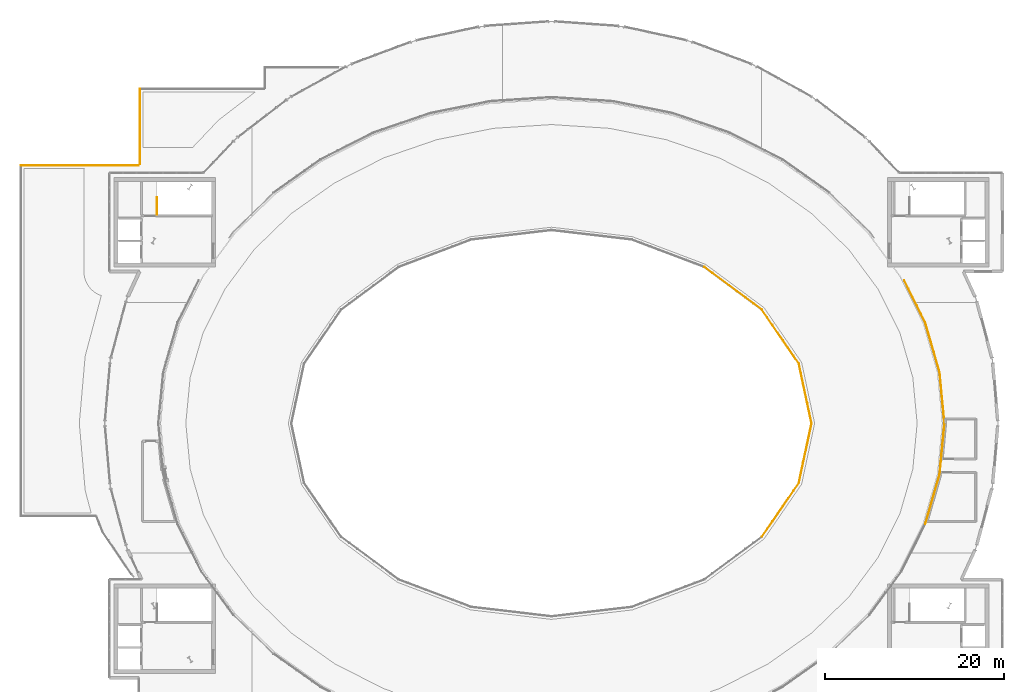
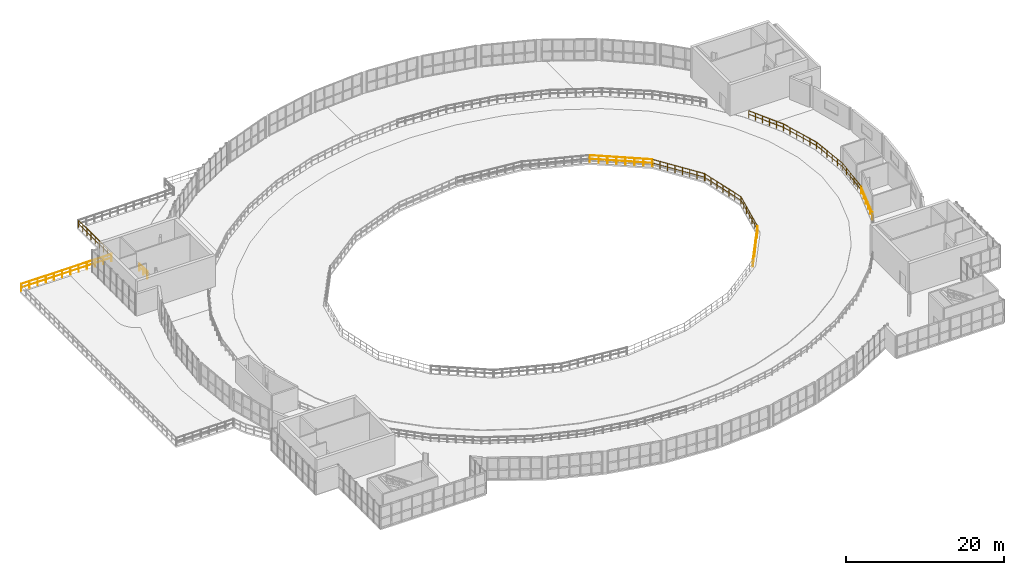
# One storey, part 38 of 40: 13 railings.
"""IFC4 building model written with IfcOpenShell, lengths in metres."""

from ifc_helpers import new_model, si_unit, direction, frame, origin, origin_2d, place, context, subcontext, project, spatial, circle, extrude, material, type_object, element, save


model = new_model("IFC4")

# Units and contexts
model_context = context("Model", 3, precision=1e-05, world=origin(), true_north=direction((0.0, 1.0)))
body_context = subcontext(model_context, "Body", "Model", "MODEL_VIEW")
ifc_project = project(units=[si_unit("LENGTHUNIT", "METRE"), si_unit("AREAUNIT", "SQUARE_METRE"), si_unit("VOLUMEUNIT", "CUBIC_METRE"), si_unit("PLANEANGLEUNIT", "RADIAN"), si_unit("MASSUNIT", "GRAM", prefix="KILO")], contexts=[model_context])

# Site, building, storey
site_placement = place(None, origin())
site = spatial("IfcSite", under=ifc_project, at=site_placement, CompositionType="ELEMENT")
building_placement = place(site_placement, origin())
building = spatial("IfcBuilding", under=site, at=building_placement, Name="Glasvene Arena", CompositionType="ELEMENT")
storey_placement = place(building_placement, frame((0.0, 0.0, 24.0)))
storey = spatial("IfcBuildingStorey", under=building, at=storey_placement, Name="L05", CompositionType="ELEMENT", Elevation=24.0)

# Railings
ifc_material_1 = material(Name="Brushed stainless steel", Category="steel")
railing_type_1 = type_object("IfcRailingType", Name="RL-GUARD-1100", PredefinedType="GUARDRAIL", material=ifc_material_1)
railing_1_placement = place(storey_placement, frame((47.85009765625, 96.35009765625, 0.0)))
element("IfcRailing", 1, at=railing_1_placement, inside=storey, type_object=railing_type_1, Name="Stair top landing well guard ST-01", PredefinedType="GUARDRAIL", context=body_context, shape_type="SweptSolid", body=[
    extrude(circle(Radius=0.02392578125, at=origin_2d()), frame((0.0, 0.0, 1.076171875), z_axis=(0.0, 1.0, 0.0), x_axis=(-1.0, 0.0, 0.0)), (0.0, 0.0, 1.0), 1.949951171875),
    extrude(circle(Radius=0.01611328125, at=origin_2d()), frame((0.0, 0.0, 0.550048828125), z_axis=(0.0, 1.0, 0.0), x_axis=(-1.0, 0.0, 0.0)), (0.0, 0.0, 1.0), 1.949951171875),
    extrude(circle(Radius=0.02099609375, at=origin_2d()), origin(), (0.0, 0.0, 1.0), 1.052001953125),
    extrude(circle(Radius=0.02099609375, at=origin_2d()), frame((0.0, 0.97509765625, 0.0)), (0.0, 0.0, 1.0), 1.052001953125),
    extrude(circle(Radius=0.02099609375, at=origin_2d()), frame((0.0, 1.949951171875, 0.0)), (0.0, 0.0, 1.0), 1.052001953125),
])
railing_2_placement = place(storey_placement, frame((136.0, 73.0, 0.0)))
element("IfcRailing", 2, at=railing_2_placement, inside=storey, type_object=railing_type_1, Name="Safety guardrail GD-GND-L05-1-001", PredefinedType="GUARDRAIL", context=body_context, shape_type="SweptSolid", body=[
    extrude(circle(Radius=0.02392578125, at=origin_2d()), frame((0.0, 0.0, 1.076171875), z_axis=(-0.094453542463, 0.995529270447, 0.0), x_axis=(-0.995529270447, -0.094453542463, 0.0)), (0.0, 0.0, 1.0), 5.735595703125),
    extrude(circle(Radius=0.01611328125, at=origin_2d()), frame((0.0, 0.0, 0.550048828125), z_axis=(-0.094453542463, 0.995529270447, 0.0), x_axis=(-0.995529270447, -0.094453542463, 0.0)), (0.0, 0.0, 1.0), 5.735595703125),
    extrude(circle(Radius=0.02099609375, at=origin_2d()), origin(), (0.0, 0.0, 1.0), 1.052001953125),
    extrude(circle(Radius=0.02099609375, at=origin_2d()), frame((-0.1083984375, 1.14208984375, 0.0)), (0.0, 0.0, 1.0), 1.052001953125),
    extrude(circle(Radius=0.02099609375, at=origin_2d()), frame((-0.216796875, 2.283935546875, 0.0)), (0.0, 0.0, 1.0), 1.052001953125),
    extrude(circle(Radius=0.02099609375, at=origin_2d()), frame((-0.324951171875, 3.426025390625, 0.0)), (0.0, 0.0, 1.0), 1.052001953125),
    extrude(circle(Radius=0.02099609375, at=origin_2d()), frame((-0.433349609375, 4.56787109375, 0.0)), (0.0, 0.0, 1.0), 1.052001953125),
    extrude(circle(Radius=0.02099609375, at=origin_2d()), frame((-0.541748046875, 5.7099609375, 0.0)), (0.0, 0.0, 1.0), 1.052001953125),
])
railing_3_placement = place(storey_placement, frame((135.458251953125, 78.7099609375, 0.0)))
element("IfcRailing", 3, at=railing_3_placement, inside=storey, type_object=railing_type_1, Name="Safety guardrail GD-GND-L05-1-002", PredefinedType="GUARDRAIL", context=body_context, shape_type="SweptSolid", body=[
    extrude(circle(Radius=0.02392578125, at=origin_2d()), frame((0.0, 0.0, 1.076171875), z_axis=(-0.278012064351, 0.960577582538, 0.0), x_axis=(-0.960577582538, -0.278012064351, 0.0)), (0.0, 0.0, 1.0), 5.797607421875),
    extrude(circle(Radius=0.01611328125, at=origin_2d()), frame((0.0, 0.0, 0.550048828125), z_axis=(-0.278012064351, 0.960577582538, 0.0), x_axis=(-0.960577582538, -0.278012064351, 0.0)), (0.0, 0.0, 1.0), 5.797607421875),
    extrude(circle(Radius=0.02099609375, at=origin_2d()), origin(), (0.0, 0.0, 1.0), 1.052001953125),
    extrude(circle(Radius=0.02099609375, at=origin_2d()), frame((-0.322265625, 1.11376953125, 0.0)), (0.0, 0.0, 1.0), 1.052001953125),
    extrude(circle(Radius=0.02099609375, at=origin_2d()), frame((-0.644775390625, 2.2275390625, 0.0)), (0.0, 0.0, 1.0), 1.052001953125),
    extrude(circle(Radius=0.02099609375, at=origin_2d()), frame((-0.967041015625, 3.341552734375, 0.0)), (0.0, 0.0, 1.0), 1.052001953125),
    extrude(circle(Radius=0.02099609375, at=origin_2d()), frame((-1.28955078125, 4.455322265625, 0.0)), (0.0, 0.0, 1.0), 1.052001953125),
    extrude(circle(Radius=0.02099609375, at=origin_2d()), frame((-1.61181640625, 5.569091796875, 0.0)), (0.0, 0.0, 1.0), 1.052001953125),
])
railing_4_placement = place(storey_placement, frame((133.846435546875, 84.279052734375, 0.0)))
element("IfcRailing", 4, at=railing_4_placement, inside=storey, type_object=railing_type_1, Name="Safety guardrail GD-GND-L05-1-003", PredefinedType="GUARDRAIL", context=body_context, shape_type="SweptSolid", body=[
    extrude(circle(Radius=0.02392578125, at=origin_2d()), frame((0.0, 0.0, 1.076171875), z_axis=(-0.446713835453, 0.894676896547, 0.0), x_axis=(-0.894676896547, -0.446713835453, 0.0)), (0.0, 0.0, 1.0), 5.276611328125),
    extrude(circle(Radius=0.01611328125, at=origin_2d()), frame((0.0, 0.0, 0.550048828125), z_axis=(-0.446713835453, 0.894676896547, 0.0), x_axis=(-0.894676896547, -0.446713835453, 0.0)), (0.0, 0.0, 1.0), 5.276611328125),
    extrude(circle(Radius=0.02099609375, at=origin_2d()), origin(), (0.0, 0.0, 1.0), 1.052001953125),
    extrude(circle(Radius=0.02099609375, at=origin_2d()), frame((-0.471435546875, 0.944091796875, 0.0)), (0.0, 0.0, 1.0), 1.052001953125),
    extrude(circle(Radius=0.02099609375, at=origin_2d()), frame((-0.94287109375, 1.888427734375, 0.0)), (0.0, 0.0, 1.0), 1.052001953125),
    extrude(circle(Radius=0.02099609375, at=origin_2d()), frame((-1.414306640625, 2.83251953125, 0.0)), (0.0, 0.0, 1.0), 1.052001953125),
    extrude(circle(Radius=0.02099609375, at=origin_2d()), frame((-1.8857421875, 3.77685546875, 0.0)), (0.0, 0.0, 1.0), 1.052001953125),
    extrude(circle(Radius=0.02099609375, at=origin_2d()), frame((-2.357177734375, 4.720947265625, 0.0)), (0.0, 0.0, 1.0), 1.052001953125),
])
railing_5_placement = place(storey_placement, frame((133.846435546875, 61.720947265625, 0.0)))
element("IfcRailing", 5, at=railing_5_placement, inside=storey, type_object=railing_type_1, Name="Safety guardrail GD-GND-L05-3-022", PredefinedType="GUARDRAIL", context=body_context, shape_type="SweptSolid", body=[
    extrude(circle(Radius=0.02392578125, at=origin_2d()), frame((0.0, 0.0, 1.076171875), z_axis=(0.278012064351, 0.960577582538, 0.0), x_axis=(-0.960577582538, 0.278012064351, 0.0)), (0.0, 0.0, 1.0), 5.797607421875),
    extrude(circle(Radius=0.01611328125, at=origin_2d()), frame((0.0, 0.0, 0.550048828125), z_axis=(0.278012064351, 0.960577582538, 0.0), x_axis=(-0.960577582538, 0.278012064351, 0.0)), (0.0, 0.0, 1.0), 5.797607421875),
    extrude(circle(Radius=0.02099609375, at=origin_2d()), origin(), (0.0, 0.0, 1.0), 1.052001953125),
    extrude(circle(Radius=0.02099609375, at=origin_2d()), frame((0.322265625, 1.11376953125, 0.0)), (0.0, 0.0, 1.0), 1.052001953125),
    extrude(circle(Radius=0.02099609375, at=origin_2d()), frame((0.644775390625, 2.2275390625, 0.0)), (0.0, 0.0, 1.0), 1.052001953125),
    extrude(circle(Radius=0.02099609375, at=origin_2d()), frame((0.967041015625, 3.341552734375, 0.0)), (0.0, 0.0, 1.0), 1.052001953125),
    extrude(circle(Radius=0.02099609375, at=origin_2d()), frame((1.28955078125, 4.455322265625, 0.0)), (0.0, 0.0, 1.0), 1.052001953125),
    extrude(circle(Radius=0.02099609375, at=origin_2d()), frame((1.61181640625, 5.569091796875, 0.0)), (0.0, 0.0, 1.0), 1.052001953125),
])
railing_6_placement = place(storey_placement, frame((135.458251953125, 67.2900390625, 0.0)))
element("IfcRailing", 6, at=railing_6_placement, inside=storey, type_object=railing_type_1, Name="Safety guardrail GD-GND-L05-3-023", PredefinedType="GUARDRAIL", context=body_context, shape_type="SweptSolid", body=[
    extrude(circle(Radius=0.02392578125, at=origin_2d()), frame((0.0, 0.0, 1.076171875), z_axis=(0.094453542463, 0.995529270447, 0.0), x_axis=(-0.995529270447, 0.094453542463, 0.0)), (0.0, 0.0, 1.0), 5.735595703125),
    extrude(circle(Radius=0.01611328125, at=origin_2d()), frame((0.0, 0.0, 0.550048828125), z_axis=(0.094453542463, 0.995529270447, 0.0), x_axis=(-0.995529270447, 0.094453542463, 0.0)), (0.0, 0.0, 1.0), 5.735595703125),
    extrude(circle(Radius=0.02099609375, at=origin_2d()), origin(), (0.0, 0.0, 1.0), 1.052001953125),
    extrude(circle(Radius=0.02099609375, at=origin_2d()), frame((0.1083984375, 1.14208984375, 0.0)), (0.0, 0.0, 1.0), 1.052001953125),
    extrude(circle(Radius=0.02099609375, at=origin_2d()), frame((0.216796875, 2.283935546875, 0.0)), (0.0, 0.0, 1.0), 1.052001953125),
    extrude(circle(Radius=0.02099609375, at=origin_2d()), frame((0.324951171875, 3.426025390625, 0.0)), (0.0, 0.0, 1.0), 1.052001953125),
    extrude(circle(Radius=0.02099609375, at=origin_2d()), frame((0.433349609375, 4.56787109375, 0.0)), (0.0, 0.0, 1.0), 1.052001953125),
    extrude(circle(Radius=0.02099609375, at=origin_2d()), frame((0.541748046875, 5.7099609375, 0.0)), (0.0, 0.0, 1.0), 1.052001953125),
])
ifc_material_2 = material(Name="Warm bronze architectural aluminium", Category="aluminium")
railing_type_2 = type_object("IfcRailingType", Name="RL-GUARD-EXT-1150", PredefinedType="GUARDRAIL", material=ifc_material_2)
railing_7_placement = place(storey_placement, frame((115.532958984375, 85.73388671875, 0.0)))
element("IfcRailing", 7, at=railing_7_placement, inside=storey, type_object=railing_type_2, Name="Safety guardrail GD-TER-L05-TR-L05-STEP4-1-01-001", PredefinedType="GUARDRAIL", context=body_context, shape_type="SweptSolid", body=[
    extrude(circle(Radius=0.02392578125, at=origin_2d()), frame((0.0, 0.0, 1.1259765625), z_axis=(-0.803322109708, 0.595544782577, 0.0), x_axis=(-0.595544782577, -0.803322109708, 0.0)), (0.0, 0.0, 1.0), 7.986572265625),
    extrude(circle(Radius=0.01611328125, at=origin_2d()), frame((0.0, 0.0, 0.574951171875), z_axis=(-0.803322109708, 0.595544782577, 0.0), x_axis=(-0.595544782577, -0.803322109708, 0.0)), (0.0, 0.0, 1.0), 7.986572265625),
    extrude(circle(Radius=0.02099609375, at=origin_2d()), origin(), (0.0, 0.0, 1.0), 1.101806640625),
    extrude(circle(Radius=0.02099609375, at=origin_2d()), frame((-0.91650390625, 0.679443359375, 0.0)), (0.0, 0.0, 1.0), 1.101806640625),
    extrude(circle(Radius=0.02099609375, at=origin_2d()), frame((-1.8330078125, 1.35888671875, 0.0)), (0.0, 0.0, 1.0), 1.101806640625),
    extrude(circle(Radius=0.02099609375, at=origin_2d()), frame((-2.74951171875, 2.038330078125, 0.0)), (0.0, 0.0, 1.0), 1.101806640625),
    extrude(circle(Radius=0.02099609375, at=origin_2d()), frame((-3.666259765625, 2.718017578125, 0.0)), (0.0, 0.0, 1.0), 1.101806640625),
    extrude(circle(Radius=0.02099609375, at=origin_2d()), frame((-4.582763671875, 3.3974609375, 0.0)), (0.0, 0.0, 1.0), 1.101806640625),
    extrude(circle(Radius=0.02099609375, at=origin_2d()), frame((-5.499267578125, 4.076904296875, 0.0)), (0.0, 0.0, 1.0), 1.101806640625),
    extrude(circle(Radius=0.02099609375, at=origin_2d()), frame((-6.415771484375, 4.75634765625, 0.0)), (0.0, 0.0, 1.0), 1.101806640625),
])
railing_8_placement = place(storey_placement, frame((115.560302734375, 60.294677734375, 0.0)))
element("IfcRailing", 8, at=railing_8_placement, inside=storey, type_object=railing_type_2, Name="Safety guardrail GD-TER-L05-TR-L05-STEP4-1-01-017", PredefinedType="GUARDRAIL", context=body_context, shape_type="SweptSolid", body=[
    extrude(circle(Radius=0.02392578125, at=origin_2d()), frame((0.0, 0.0, 1.1259765625), z_axis=(0.566404863121, 0.824127132809, 0.0), x_axis=(-0.824127132809, 0.566404863121, 0.0)), (0.0, 0.0, 1.0), 7.2724609375),
    extrude(circle(Radius=0.01611328125, at=origin_2d()), frame((0.0, 0.0, 0.574951171875), z_axis=(0.566404863121, 0.824127132809, 0.0), x_axis=(-0.824127132809, 0.566404863121, 0.0)), (0.0, 0.0, 1.0), 7.2724609375),
    extrude(circle(Radius=0.02099609375, at=origin_2d()), origin(), (0.0, 0.0, 1.0), 1.101806640625),
    extrude(circle(Radius=0.02099609375, at=origin_2d()), frame((0.58837890625, 0.856201171875, 0.0)), (0.0, 0.0, 1.0), 1.101806640625),
    extrude(circle(Radius=0.02099609375, at=origin_2d()), frame((1.177001953125, 1.71240234375, 0.0)), (0.0, 0.0, 1.0), 1.101806640625),
    extrude(circle(Radius=0.02099609375, at=origin_2d()), frame((1.765380859375, 2.568603515625, 0.0)), (0.0, 0.0, 1.0), 1.101806640625),
    extrude(circle(Radius=0.02099609375, at=origin_2d()), frame((2.353759765625, 3.4248046875, 0.0)), (0.0, 0.0, 1.0), 1.101806640625),
    extrude(circle(Radius=0.02099609375, at=origin_2d()), frame((2.942138671875, 4.281005859375, 0.0)), (0.0, 0.0, 1.0), 1.101806640625),
    extrude(circle(Radius=0.02099609375, at=origin_2d()), frame((3.53076171875, 5.13720703125, 0.0)), (0.0, 0.0, 1.0), 1.101806640625),
    extrude(circle(Radius=0.02099609375, at=origin_2d()), frame((4.119140625, 5.993408203125, 0.0)), (0.0, 0.0, 1.0), 1.101806640625),
])
railing_9_placement = place(storey_placement, frame((119.697998046875, 66.3310546875, 0.0)))
element("IfcRailing", 9, at=railing_9_placement, inside=storey, type_object=railing_type_2, Name="Safety guardrail GD-TER-L05-TR-L05-STEP4-1-01-018", PredefinedType="GUARDRAIL", context=body_context, shape_type="SweptSolid", body=[
    extrude(circle(Radius=0.02392578125, at=origin_2d()), frame((0.0, 0.0, 1.1259765625), z_axis=(0.208932685228, 0.977930024615, 0.0), x_axis=(-0.977930024615, 0.208932685228, 0.0)), (0.0, 0.0, 1.0), 6.793701171875),
    extrude(circle(Radius=0.01611328125, at=origin_2d()), frame((0.0, 0.0, 0.574951171875), z_axis=(0.208932685228, 0.977930024615, 0.0), x_axis=(-0.977930024615, 0.208932685228, 0.0)), (0.0, 0.0, 1.0), 6.793701171875),
    extrude(circle(Radius=0.02099609375, at=origin_2d()), origin(), (0.0, 0.0, 1.0), 1.101806640625),
    extrude(circle(Radius=0.02099609375, at=origin_2d()), frame((0.236572265625, 1.107421875, 0.0)), (0.0, 0.0, 1.0), 1.101806640625),
    extrude(circle(Radius=0.02099609375, at=origin_2d()), frame((0.47314453125, 2.214599609375, 0.0)), (0.0, 0.0, 1.0), 1.101806640625),
    extrude(circle(Radius=0.02099609375, at=origin_2d()), frame((0.709716796875, 3.32177734375, 0.0)), (0.0, 0.0, 1.0), 1.101806640625),
    extrude(circle(Radius=0.02099609375, at=origin_2d()), frame((0.9462890625, 4.42919921875, 0.0)), (0.0, 0.0, 1.0), 1.101806640625),
    extrude(circle(Radius=0.02099609375, at=origin_2d()), frame((1.182861328125, 5.53662109375, 0.0)), (0.0, 0.0, 1.0), 1.101806640625),
    extrude(circle(Radius=0.02099609375, at=origin_2d()), frame((1.41943359375, 6.643798828125, 0.0)), (0.0, 0.0, 1.0), 1.101806640625),
])
railing_10_placement = place(storey_placement, frame((121.117431640625, 73.025146484375, 0.0)))
element("IfcRailing", 10, at=railing_10_placement, inside=storey, type_object=railing_type_2, Name="Safety guardrail GD-TER-L05-TR-L05-STEP4-1-01-019", PredefinedType="GUARDRAIL", context=body_context, shape_type="SweptSolid", body=[
    extrude(circle(Radius=0.02392578125, at=origin_2d()), frame((0.0, 0.0, 1.1259765625), z_axis=(-0.208932685228, 0.977930024615, 0.0), x_axis=(-0.977930024615, -0.208932685228, 0.0)), (0.0, 0.0, 1.0), 6.793701171875),
    extrude(circle(Radius=0.01611328125, at=origin_2d()), frame((0.0, 0.0, 0.574951171875), z_axis=(-0.208932685228, 0.977930024615, 0.0), x_axis=(-0.977930024615, -0.208932685228, 0.0)), (0.0, 0.0, 1.0), 6.793701171875),
    extrude(circle(Radius=0.02099609375, at=origin_2d()), origin(), (0.0, 0.0, 1.0), 1.101806640625),
    extrude(circle(Radius=0.02099609375, at=origin_2d()), frame((-0.236572265625, 1.107421875, 0.0)), (0.0, 0.0, 1.0), 1.101806640625),
    extrude(circle(Radius=0.02099609375, at=origin_2d()), frame((-0.47314453125, 2.214599609375, 0.0)), (0.0, 0.0, 1.0), 1.101806640625),
    extrude(circle(Radius=0.02099609375, at=origin_2d()), frame((-0.709716796875, 3.32177734375, 0.0)), (0.0, 0.0, 1.0), 1.101806640625),
    extrude(circle(Radius=0.02099609375, at=origin_2d()), frame((-0.9462890625, 4.42919921875, 0.0)), (0.0, 0.0, 1.0), 1.101806640625),
    extrude(circle(Radius=0.02099609375, at=origin_2d()), frame((-1.182861328125, 5.53662109375, 0.0)), (0.0, 0.0, 1.0), 1.101806640625),
    extrude(circle(Radius=0.02099609375, at=origin_2d()), frame((-1.41943359375, 6.643798828125, 0.0)), (0.0, 0.0, 1.0), 1.101806640625),
])
railing_11_placement = place(storey_placement, frame((119.679443359375, 79.7119140625, 0.0)))
element("IfcRailing", 11, at=railing_11_placement, inside=storey, type_object=railing_type_2, Name="Safety guardrail GD-TER-L05-TR-L05-STEP4-1-01-020", PredefinedType="GUARDRAIL", context=body_context, shape_type="SweptSolid", body=[
    extrude(circle(Radius=0.02392578125, at=origin_2d()), frame((0.0, 0.0, 1.1259765625), z_axis=(-0.566404863121, 0.824127132809, 0.0), x_axis=(-0.824127132809, -0.566404863121, 0.0)), (0.0, 0.0, 1.0), 7.2724609375),
    extrude(circle(Radius=0.01611328125, at=origin_2d()), frame((0.0, 0.0, 0.574951171875), z_axis=(-0.566404863121, 0.824127132809, 0.0), x_axis=(-0.824127132809, -0.566404863121, 0.0)), (0.0, 0.0, 1.0), 7.2724609375),
    extrude(circle(Radius=0.02099609375, at=origin_2d()), origin(), (0.0, 0.0, 1.0), 1.101806640625),
    extrude(circle(Radius=0.02099609375, at=origin_2d()), frame((-0.58837890625, 0.856201171875, 0.0)), (0.0, 0.0, 1.0), 1.101806640625),
    extrude(circle(Radius=0.02099609375, at=origin_2d()), frame((-1.177001953125, 1.71240234375, 0.0)), (0.0, 0.0, 1.0), 1.101806640625),
    extrude(circle(Radius=0.02099609375, at=origin_2d()), frame((-1.765380859375, 2.568603515625, 0.0)), (0.0, 0.0, 1.0), 1.101806640625),
    extrude(circle(Radius=0.02099609375, at=origin_2d()), frame((-2.353759765625, 3.4248046875, 0.0)), (0.0, 0.0, 1.0), 1.101806640625),
    extrude(circle(Radius=0.02099609375, at=origin_2d()), frame((-2.942138671875, 4.281005859375, 0.0)), (0.0, 0.0, 1.0), 1.101806640625),
    extrude(circle(Radius=0.02099609375, at=origin_2d()), frame((-3.53076171875, 5.13720703125, 0.0)), (0.0, 0.0, 1.0), 1.101806640625),
    extrude(circle(Radius=0.02099609375, at=origin_2d()), frame((-4.119140625, 5.993408203125, 0.0)), (0.0, 0.0, 1.0), 1.101806640625),
])
railing_12_placement = place(storey_placement, frame((32.6201171875, 101.8798828125, 0.0)))
element("IfcRailing", 12, at=railing_12_placement, inside=storey, type_object=railing_type_2, Name="Safety guardrail GD-TER-L05-TR-L05-STEP4-2-01-005", PredefinedType="GUARDRAIL", context=body_context, shape_type="SweptSolid", body=[
    extrude(circle(Radius=0.02392578125, at=origin_2d()), frame((0.0, 0.0, 1.1259765625), z_axis=(1.0, 0.0, 0.0), x_axis=(0.0, 1.0, 0.0)), (0.0, 0.0, 1.0), 13.179931640625),
    extrude(circle(Radius=0.01611328125, at=origin_2d()), frame((0.0, 0.0, 0.574951171875), z_axis=(1.0, 0.0, 0.0), x_axis=(0.0, 1.0, 0.0)), (0.0, 0.0, 1.0), 13.179931640625),
    extrude(circle(Radius=0.02099609375, at=origin_2d()), origin(), (0.0, 0.0, 1.0), 1.101806640625),
    extrude(circle(Radius=0.02099609375, at=origin_2d()), frame((1.1982421875, 0.0, 0.0)), (0.0, 0.0, 1.0), 1.101806640625),
    extrude(circle(Radius=0.02099609375, at=origin_2d()), frame((2.396240234375, 0.0, 0.0)), (0.0, 0.0, 1.0), 1.101806640625),
    extrude(circle(Radius=0.02099609375, at=origin_2d()), frame((3.594482421875, 0.0, 0.0)), (0.0, 0.0, 1.0), 1.101806640625),
    extrude(circle(Radius=0.02099609375, at=origin_2d()), frame((4.792724609375, 0.0, 0.0)), (0.0, 0.0, 1.0), 1.101806640625),
    extrude(circle(Radius=0.02099609375, at=origin_2d()), frame((5.990966796875, 0.0, 0.0)), (0.0, 0.0, 1.0), 1.101806640625),
    extrude(circle(Radius=0.02099609375, at=origin_2d()), frame((7.18896484375, 0.0, 0.0)), (0.0, 0.0, 1.0), 1.101806640625),
    extrude(circle(Radius=0.02099609375, at=origin_2d()), frame((8.38720703125, 0.0, 0.0)), (0.0, 0.0, 1.0), 1.101806640625),
    extrude(circle(Radius=0.02099609375, at=origin_2d()), frame((9.58544921875, 0.0, 0.0)), (0.0, 0.0, 1.0), 1.101806640625),
    extrude(circle(Radius=0.02099609375, at=origin_2d()), frame((10.78369140625, 0.0, 0.0)), (0.0, 0.0, 1.0), 1.101806640625),
    extrude(circle(Radius=0.02099609375, at=origin_2d()), frame((11.981689453125, 0.0, 0.0)), (0.0, 0.0, 1.0), 1.101806640625),
    extrude(circle(Radius=0.02099609375, at=origin_2d()), frame((13.179931640625, 0.0, 0.0)), (0.0, 0.0, 1.0), 1.101806640625),
])
railing_13_placement = place(storey_placement, frame((45.919921875, 102.0, 0.0)))
element("IfcRailing", 13, at=railing_13_placement, inside=storey, type_object=railing_type_2, Name="Safety guardrail GD-TER-L05-TR-L05-STEP4-2-01-006", PredefinedType="GUARDRAIL", context=body_context, shape_type="SweptSolid", body=[
    extrude(circle(Radius=0.02392578125, at=origin_2d()), frame((0.0, 0.0, 1.1259765625), z_axis=(0.0, 1.0, 0.0), x_axis=(-1.0, 0.0, 0.0)), (0.0, 0.0, 1.0), 8.429931640625),
    extrude(circle(Radius=0.01611328125, at=origin_2d()), frame((0.0, 0.0, 0.574951171875), z_axis=(0.0, 1.0, 0.0), x_axis=(-1.0, 0.0, 0.0)), (0.0, 0.0, 1.0), 8.429931640625),
    extrude(circle(Radius=0.02099609375, at=origin_2d()), origin(), (0.0, 0.0, 1.0), 1.101806640625),
    extrude(circle(Radius=0.02099609375, at=origin_2d()), frame((0.0, 1.0537109375, 0.0)), (0.0, 0.0, 1.0), 1.101806640625),
    extrude(circle(Radius=0.02099609375, at=origin_2d()), frame((0.0, 2.107421875, 0.0)), (0.0, 0.0, 1.0), 1.101806640625),
    extrude(circle(Radius=0.02099609375, at=origin_2d()), frame((0.0, 3.1611328125, 0.0)), (0.0, 0.0, 1.0), 1.101806640625),
    extrude(circle(Radius=0.02099609375, at=origin_2d()), frame((0.0, 4.21484375, 0.0)), (0.0, 0.0, 1.0), 1.101806640625),
    extrude(circle(Radius=0.02099609375, at=origin_2d()), frame((0.0, 5.268798828125, 0.0)), (0.0, 0.0, 1.0), 1.101806640625),
    extrude(circle(Radius=0.02099609375, at=origin_2d()), frame((0.0, 6.322509765625, 0.0)), (0.0, 0.0, 1.0), 1.101806640625),
    extrude(circle(Radius=0.02099609375, at=origin_2d()), frame((0.0, 7.376220703125, 0.0)), (0.0, 0.0, 1.0), 1.101806640625),
    extrude(circle(Radius=0.02099609375, at=origin_2d()), frame((0.0, 8.429931640625, 0.0)), (0.0, 0.0, 1.0), 1.101806640625),
])

save(model, "model.ifc")
